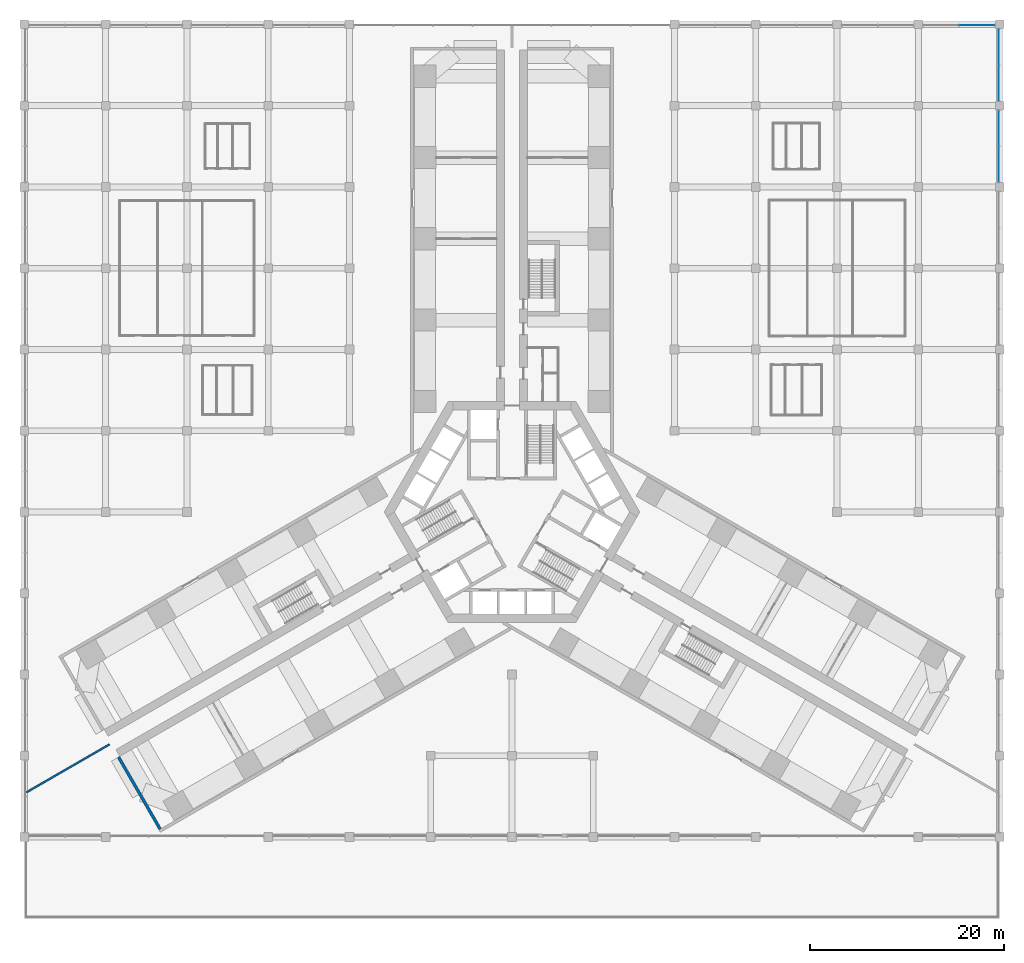
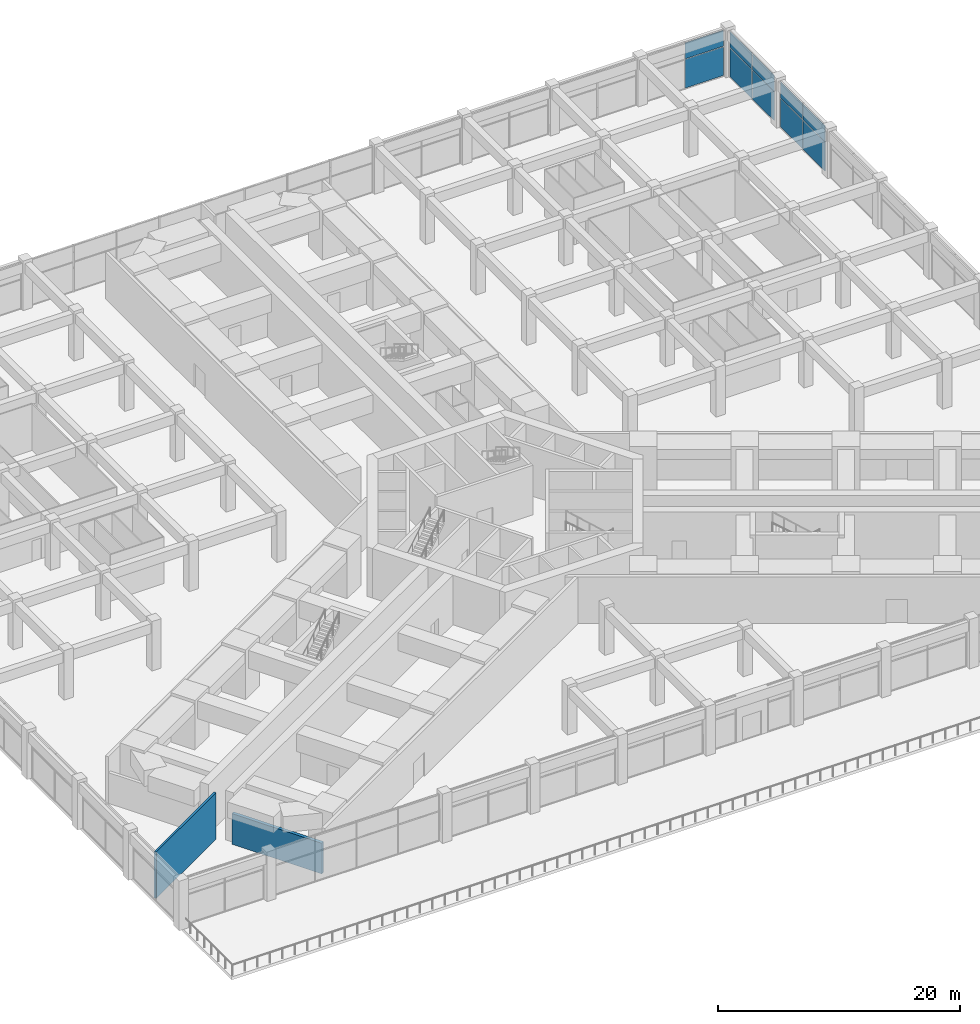
# One storey, part 27 of 36: 10 plates, 2 walls, 3 elements without a shape of their own.
"""IFC4 building model written with IfcOpenShell, lengths in metres."""

from ifc_helpers import new_model, si_unit, direction, frame, frame_2d, origin, origin_2d, place, context, subcontext, project, spatial, rectangle, extrude, material, layer, layer_set, type_object, element, aggregate, save


model = new_model("IFC4")

# Units and contexts
model_context = context("Model", 3, precision=1e-05, world=origin(), true_north=direction((0.0, 1.0)))
body_context = subcontext(model_context, "Body", "Model", "MODEL_VIEW")
ifc_project = project(units=[si_unit("LENGTHUNIT", "METRE"), si_unit("AREAUNIT", "SQUARE_METRE"), si_unit("VOLUMEUNIT", "CUBIC_METRE"), si_unit("PLANEANGLEUNIT", "RADIAN"), si_unit("MASSUNIT", "GRAM", prefix="KILO")], contexts=[model_context])

# Site, building, storey
site_placement = place(None, origin())
site = spatial("IfcSite", under=ifc_project, at=site_placement, CompositionType="ELEMENT")
building_placement = place(site_placement, origin())
building = spatial("IfcBuilding", under=site, at=building_placement, Name="Impinga Residences", CompositionType="ELEMENT")
storey_placement = place(building_placement, frame((0.0, 0.0, 6.0)))
storey = spatial("IfcBuildingStorey", under=building, at=storey_placement, Name="L01", CompositionType="ELEMENT", Elevation=6.0)

# Curtain wall, plates
ifc_material_1 = material(Name="Aluminium stick curtain wall", Category="aluminium")
curtain_wall_type = type_object("IfcCurtainWallType", Name="CW1 podium amenity curtain wall", PredefinedType="USERDEFINED", material=ifc_material_1)
curtain_wall_1_placement = place(storey_placement, origin())
curtain_wall_1 = element("IfcCurtainWall", 1, at=curtain_wall_1_placement, inside=storey, type_object=curtain_wall_type, Name="Curtain wall CW1 L01", ObjectType="STICK CURTAIN WALL", PredefinedType="USERDEFINED")
ifc_material_2 = material(Name="Clear double glazing", Category="glass")
ifc_layer_1 = layer(ifc_material_2, 0.028076171875)
ifc_layer_set_1 = layer_set([ifc_layer_1], Name="CW1-P clear double glazed panel 28")
plate_type = type_object("IfcPlateType", Name="CW1-P clear double glazed panel 28", PredefinedType="CURTAIN_PANEL", material=ifc_layer_set_1)
plate_1_placement = place(storey_placement, frame((48.05859375, 50.300048828125, 0.06005859375), z_axis=(0.0, 0.0, 1.0), x_axis=(1.0, 0.0, 0.0)))
plate_1 = element("IfcPlate", 2, at=plate_1_placement, type_object=plate_type, Name="CW1 panel 2.1", PredefinedType="CURTAIN_PANEL", context=body_context, shape_type="SweptSolid", body=[
    extrude(rectangle(XDim=3.656982421875, YDim=0.028076171875, at=origin_2d()), origin(), (0.0, 0.0, 1.0), 2.909912109375),
])
plate_2_placement = place(storey_placement, frame((48.05859375, 50.300048828125, 3.02978515625), z_axis=(0.0, 0.0, 1.0), x_axis=(1.0, 0.0, 0.0)))
plate_2 = element("IfcPlate", 3, at=plate_2_placement, type_object=plate_type, Name="CW1 panel 2.2", PredefinedType="CURTAIN_PANEL", context=body_context, shape_type="SweptSolid", body=[
    extrude(rectangle(XDim=3.656982421875, YDim=0.028076171875, at=origin_2d()), origin(), (0.0, 0.0, 1.0), 1.610107421875),
])
aggregate(curtain_wall_1, [plate_1, plate_2])

curtain_wall_2_placement = place(storey_placement, origin())
curtain_wall_2 = element("IfcCurtainWall", 4, at=curtain_wall_2_placement, inside=storey, type_object=curtain_wall_type, Name="Curtain wall CW1 L01", ObjectType="STICK CURTAIN WALL", PredefinedType="USERDEFINED")
plate_3_placement = place(storey_placement, frame((50.300048828125, 48.05859375, 0.06005859375), z_axis=(0.0, 0.0, 1.0), x_axis=(0.0, -1.0, 0.0)))
plate_3 = element("IfcPlate", 5, at=plate_3_placement, type_object=plate_type, Name="CW1 panel 1.1", PredefinedType="CURTAIN_PANEL", context=body_context, shape_type="SweptSolid", body=[
    extrude(rectangle(XDim=3.656982421875, YDim=0.028076171875, at=origin_2d()), origin(), (0.0, 0.0, 1.0), 2.909912109375),
])
plate_4_placement = place(storey_placement, frame((50.300048828125, 48.05859375, 3.02978515625), z_axis=(0.0, 0.0, 1.0), x_axis=(0.0, -1.0, 0.0)))
plate_4 = element("IfcPlate", 6, at=plate_4_placement, type_object=plate_type, Name="CW1 panel 1.2", PredefinedType="CURTAIN_PANEL", context=body_context, shape_type="SweptSolid", body=[
    extrude(rectangle(XDim=3.656982421875, YDim=0.028076171875, at=origin_2d()), origin(), (0.0, 0.0, 1.0), 1.610107421875),
])
plate_5_placement = place(storey_placement, frame((50.300048828125, 44.341552734375, 0.06005859375), z_axis=(0.0, 0.0, 1.0), x_axis=(0.0, -1.0, 0.0)))
plate_5 = element("IfcPlate", 7, at=plate_5_placement, type_object=plate_type, Name="CW1 panel 2.1", PredefinedType="CURTAIN_PANEL", context=body_context, shape_type="SweptSolid", body=[
    extrude(rectangle(XDim=3.656982421875, YDim=0.028076171875, at=origin_2d()), origin(), (0.0, 0.0, 1.0), 2.909912109375),
])
plate_6_placement = place(storey_placement, frame((50.300048828125, 44.341552734375, 3.02978515625), z_axis=(0.0, 0.0, 1.0), x_axis=(0.0, -1.0, 0.0)))
plate_6 = element("IfcPlate", 8, at=plate_6_placement, type_object=plate_type, Name="CW1 panel 2.2", PredefinedType="CURTAIN_PANEL", context=body_context, shape_type="SweptSolid", body=[
    extrude(rectangle(XDim=3.656982421875, YDim=0.028076171875, at=origin_2d()), origin(), (0.0, 0.0, 1.0), 1.610107421875),
])
aggregate(curtain_wall_2, [plate_3, plate_4, plate_5, plate_6])

curtain_wall_3_placement = place(storey_placement, origin())
curtain_wall_3 = element("IfcCurtainWall", 9, at=curtain_wall_3_placement, inside=storey, type_object=curtain_wall_type, Name="Curtain wall CW1 L01", ObjectType="STICK CURTAIN WALL", PredefinedType="USERDEFINED")
plate_7_placement = place(storey_placement, frame((50.300048828125, 39.658447265625, 0.06005859375), z_axis=(0.0, 0.0, 1.0), x_axis=(0.0, -1.0, 0.0)))
plate_7 = element("IfcPlate", 10, at=plate_7_placement, type_object=plate_type, Name="CW1 panel 1.1", PredefinedType="CURTAIN_PANEL", context=body_context, shape_type="SweptSolid", body=[
    extrude(rectangle(XDim=3.656982421875, YDim=0.028076171875, at=origin_2d()), origin(), (0.0, 0.0, 1.0), 2.909912109375),
])
plate_8_placement = place(storey_placement, frame((50.300048828125, 39.658447265625, 3.02978515625), z_axis=(0.0, 0.0, 1.0), x_axis=(0.0, -1.0, 0.0)))
plate_8 = element("IfcPlate", 11, at=plate_8_placement, type_object=plate_type, Name="CW1 panel 1.2", PredefinedType="CURTAIN_PANEL", context=body_context, shape_type="SweptSolid", body=[
    extrude(rectangle(XDim=3.656982421875, YDim=0.028076171875, at=origin_2d()), origin(), (0.0, 0.0, 1.0), 1.610107421875),
])
plate_9_placement = place(storey_placement, frame((50.300048828125, 35.94140625, 0.06005859375), z_axis=(0.0, 0.0, 1.0), x_axis=(0.0, -1.0, 0.0)))
plate_9 = element("IfcPlate", 12, at=plate_9_placement, type_object=plate_type, Name="CW1 panel 2.1", PredefinedType="CURTAIN_PANEL", context=body_context, shape_type="SweptSolid", body=[
    extrude(rectangle(XDim=3.656982421875, YDim=0.028076171875, at=origin_2d()), origin(), (0.0, 0.0, 1.0), 2.909912109375),
])
plate_10_placement = place(storey_placement, frame((50.300048828125, 35.94140625, 3.02978515625), z_axis=(0.0, 0.0, 1.0), x_axis=(0.0, -1.0, 0.0)))
plate_10 = element("IfcPlate", 13, at=plate_10_placement, type_object=plate_type, Name="CW1 panel 2.2", PredefinedType="CURTAIN_PANEL", context=body_context, shape_type="SweptSolid", body=[
    extrude(rectangle(XDim=3.656982421875, YDim=0.028076171875, at=origin_2d()), origin(), (0.0, 0.0, 1.0), 1.610107421875),
])
aggregate(curtain_wall_3, [plate_7, plate_8, plate_9, plate_10])

# Walls
ifc_material_3 = material(Name="Concrete blockwork", Category="masonry")
ifc_layer_2 = layer(ifc_material_3, 0.199951171875)
ifc_layer_set_2 = layer_set([ifc_layer_2], Name="PW2 podium compartment wall 200")
wall_type_1 = type_object("IfcWallType", Name="PW2 podium compartment wall 200", PredefinedType="SOLIDWALL", material=ifc_layer_set_2)
wall_1_placement = place(storey_placement, frame((-41.596435546875, -24.015869140625, 0.0), z_axis=(0.0, 0.0, 1.0), x_axis=(-0.866027790195, -0.499995866593, 0.0)))
element("IfcWall", 14, at=wall_1_placement, inside=storey, type_object=wall_type_1, Name="Podium compartment wall L01:REG:W", PredefinedType="SOLIDWALL", context=body_context, shape_type="SweptSolid", body=[
    extrude(rectangle(XDim=9.91943359375, YDim=0.199951171875, at=frame_2d((4.959716796875, 0.0))), origin(), (0.0, 0.0, 1.0), 4.699951171875),
])
ifc_layer_3 = layer(ifc_material_3, 0.300048828125)
ifc_layer_set_3 = layer_set([ifc_layer_3], Name="PW3 podium wall on the wing face 300")
wall_type_2 = type_object("IfcWallType", Name="PW3 podium wall on the wing face 300", PredefinedType="SOLIDWALL", material=ifc_layer_set_3)
wall_2_placement = place(storey_placement, frame((-40.666748046875, -25.326416015625, 0.0), z_axis=(0.0, 0.0, 1.0), x_axis=(0.500007509209, -0.866021068297, 0.0)))
element("IfcWall", 15, at=wall_2_placement, inside=storey, type_object=wall_type_2, Name="Podium wall on the wing face L01:END:WA", PredefinedType="SOLIDWALL", context=body_context, shape_type="SweptSolid", body=[
    extrude(rectangle(XDim=8.599853515625, YDim=0.300048828125, at=frame_2d((4.2998046875, 0.0))), origin(), (0.0, 0.0, 1.0), 3.10009765625),
])

save(model, "model.ifc")
